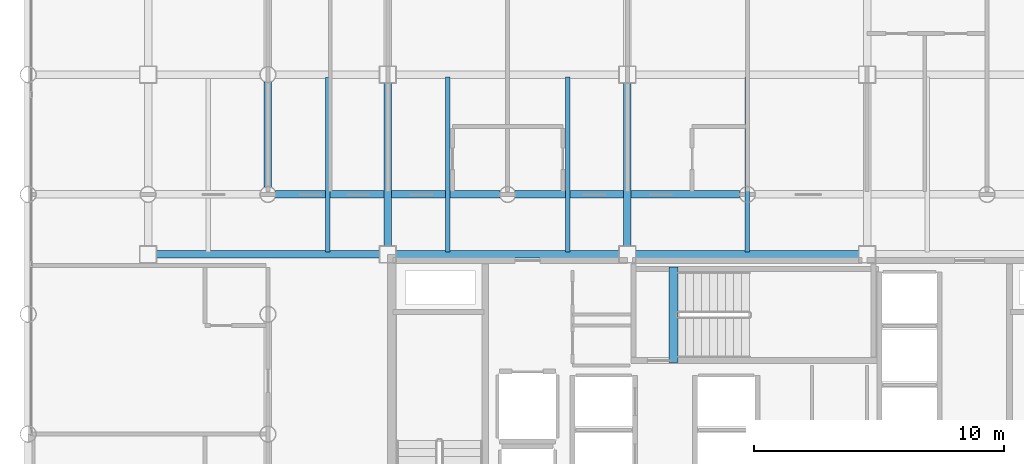
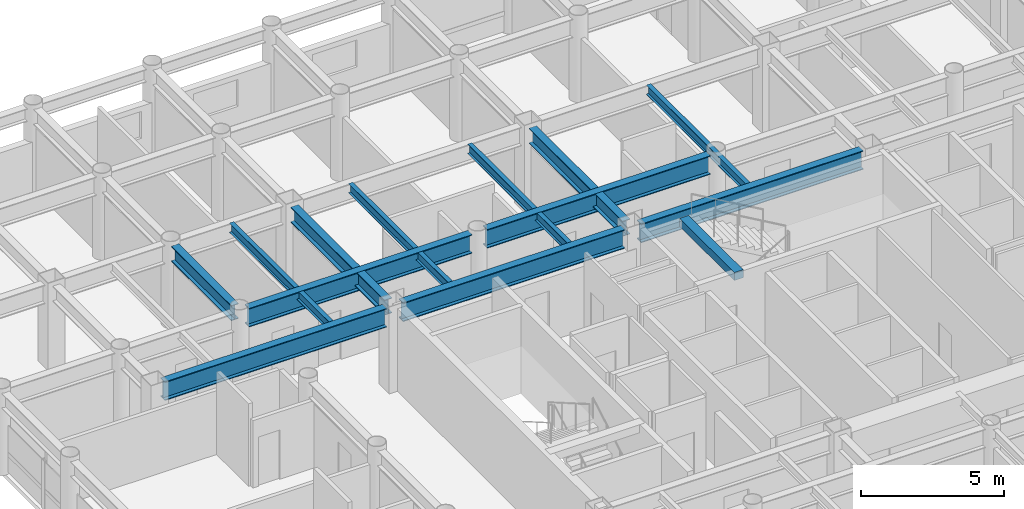
# One storey, part 5 of 22: 13 beams.
"""IFC4 building model written with IfcOpenShell, lengths in metres."""

from ifc_helpers import new_model, si_unit, direction, frame, origin, origin_2d, place, context, subcontext, project, spatial, rectangle, i_section, extrude, material, material_profile, profile_set, type_object, element, save


model = new_model("IFC4")

# Units and contexts
model_context = context("Model", 3, precision=1e-05, world=origin(), true_north=direction((0.0, 1.0)))
body_context = subcontext(model_context, "Body", "Model", "MODEL_VIEW")
ifc_project = project(units=[si_unit("LENGTHUNIT", "METRE"), si_unit("AREAUNIT", "SQUARE_METRE"), si_unit("VOLUMEUNIT", "CUBIC_METRE"), si_unit("PLANEANGLEUNIT", "RADIAN"), si_unit("MASSUNIT", "GRAM", prefix="KILO")], contexts=[model_context])

# Site, building, storey
site_placement = place(None, origin())
site = spatial("IfcSite", under=ifc_project, at=site_placement, CompositionType="ELEMENT")
building_placement = place(site_placement, origin())
building = spatial("IfcBuilding", under=site, at=building_placement, Name="Kallvorn Hotel Tower", CompositionType="ELEMENT")
storey_placement = place(building_placement, frame((0.0, 0.0, 110.0)))
storey = spatial("IfcBuildingStorey", under=building, at=storey_placement, Name="L26", CompositionType="ELEMENT", Elevation=110.0)

# Beams
ifc_material_1 = material(Name="Structural steel S355JR", Category="steel")
ifc_material_profile_1 = material_profile(ifc_material_1, i_section(OverallWidth=0.300048828125, OverallDepth=0.64990234375, WebThickness=0.01611328125, FlangeThickness=0.031005859375, at=origin_2d()), Name="HE 650 B")
ifc_profile_set_1 = profile_set([ifc_material_profile_1], Name="Structural steel S355JR")
beam_type_1 = type_object("IfcBeamType", Name="BM_HE650B", PredefinedType="BEAM", material=ifc_profile_set_1)
beam_1_placement = place(storey_placement, frame((-19.199951171875, 9.905029296875, 3.195068359375), z_axis=(0.0, 1.0, 0.0), x_axis=(-1.0, 0.0, 0.0)))
element("IfcBeam", 1, at=beam_1_placement, inside=storey, type_object=beam_type_1, Name="L27 Primary Y-Girder 94", PredefinedType="BEAM", context=body_context, shape_type="SweptSolid", body=[
    extrude(i_section(OverallWidth=0.300048828125, OverallDepth=0.64990234375, WebThickness=0.01611328125, FlangeThickness=0.031005859375, at=origin_2d()), origin(), (0.0, 0.0, 1.0), 4.18994140625),
])
for number, where, z_axis, x_axis, name in (
    (2, (-14.39990234375, 7.52490234375, 3.195068359375), (0.0, 1.0, 0.0), (-1.0, 0.0, 0.0), "L27 Primary Y-Girder 99"),
    (3, (-4.800048828125, 7.52490234375, 3.195068359375), (0.0, 1.0, 0.0), (-1.0, 0.0, 0.0), "L27 Primary Y-Girder 107"),
):
    element("IfcBeam", number, at=place(storey_placement, frame(where, z_axis=z_axis, x_axis=x_axis)), inside=storey, type_object=beam_type_1, Name=name, PredefinedType="BEAM", context=body_context, shape_type="SweptSolid", body=[
        extrude(i_section(OverallWidth=0.300048828125, OverallDepth=0.64990234375, WebThickness=0.01611328125, FlangeThickness=0.031005859375, at=origin_2d()), origin(), (0.0, 0.0, 1.0), 6.550048828125),
    ])
ifc_material_2 = material(Name="Structural steel S355JR", Category="steel")
ifc_material_profile_2 = material_profile(ifc_material_2, i_section(OverallWidth=0.300048828125, OverallDepth=0.800048828125, WebThickness=0.017578125, FlangeThickness=0.032958984375, at=origin_2d()), Name="HE 800 B")
ifc_profile_set_2 = profile_set([ifc_material_profile_2], Name="Structural steel S355JR")
beam_type_2 = type_object("IfcBeamType", Name="BM_HE800B", PredefinedType="BEAM", material=ifc_profile_set_2)
for number, where, z_axis, x_axis, name in (
    (4, (-23.675048828125, 7.199951171875, 3.1201171875), (1.0, 0.0, 0.0), (0.0, 1.0, 0.0), "L27 Primary X-Girder 36"),
    (5, (-14.074951171875, 7.199951171875, 3.1201171875), (1.0, 0.0, 0.0), (0.0, 1.0, 0.0), "L27 Primary X-Girder 37"),
):
    element("IfcBeam", number, at=place(storey_placement, frame(where, z_axis=z_axis, x_axis=x_axis)), inside=storey, type_object=beam_type_2, Name=name, PredefinedType="BEAM", context=body_context, shape_type="SweptSolid", body=[
        extrude(i_section(OverallWidth=0.300048828125, OverallDepth=0.800048828125, WebThickness=0.017578125, FlangeThickness=0.032958984375, at=origin_2d()), origin(), (0.0, 0.0, 1.0), 8.949951171875),
    ])
beam_2_placement = place(storey_placement, frame((-4.47509765625, 7.199951171875, 3.1201171875), z_axis=(1.0, 0.0, 0.0), x_axis=(0.0, 1.0, 0.0)))
element("IfcBeam", 6, at=beam_2_placement, inside=storey, type_object=beam_type_2, Name="L27 Primary X-Girder 38", PredefinedType="BEAM", context=body_context, shape_type="SweptSolid", body=[
    extrude(i_section(OverallWidth=0.300048828125, OverallDepth=0.800048828125, WebThickness=0.017578125, FlangeThickness=0.032958984375, at=origin_2d()), origin(), (0.0, 0.0, 1.0), 8.9501953125),
])
for number, where, z_axis, x_axis, name in (
    (7, (-18.89501953125, 9.60009765625, 3.1201171875), (1.0, 0.0, 0.0), (0.0, 1.0, 0.0), "L27 Primary X-Girder 43"),
    (8, (-9.294921875, 9.60009765625, 3.1201171875), (1.0, 0.0, 0.0), (0.0, 1.0, 0.0), "L27 Primary X-Girder 44"),
):
    element("IfcBeam", number, at=place(storey_placement, frame(where, z_axis=z_axis, x_axis=x_axis)), inside=storey, type_object=beam_type_2, Name=name, PredefinedType="BEAM", context=body_context, shape_type="SweptSolid", body=[
        extrude(i_section(OverallWidth=0.300048828125, OverallDepth=0.800048828125, WebThickness=0.017578125, FlangeThickness=0.032958984375, at=origin_2d()), origin(), (0.0, 0.0, 1.0), 8.989990234375),
    ])
ifc_material_3 = material(Name="Structural steel S355JR", Category="steel")
ifc_material_profile_3 = material_profile(ifc_material_3, i_section(OverallWidth=0.179931640625, OverallDepth=0.39990234375, WebThickness=0.008544921875, FlangeThickness=0.013427734375, at=origin_2d()), Name="IPE 400")
ifc_profile_set_3 = profile_set([ifc_material_profile_3], Name="Structural steel S355JR")
beam_type_3 = type_object("IfcBeamType", Name="BM_IPE400", PredefinedType="JOIST", material=ifc_profile_set_3)
for number, where, z_axis, x_axis, name in (
    (9, (-16.800048828125, 7.300048828125, 3.320068359375), (0.0, 1.0, 0.0), (-1.0, 0.0, 0.0), "L27 Secondary Composite Joist 195"),
    (10, (-12.0, 7.300048828125, 3.320068359375), (0.0, 1.0, 0.0), (-1.0, 0.0, 0.0), "L27 Secondary Composite Joist 197"),
    (11, (-7.199951171875, 7.300048828125, 3.320068359375), (0.0, 1.0, 0.0), (-1.0, 0.0, 0.0), "L27 Secondary Composite Joist 199"),
    (12, (0.0, 7.300048828125, 3.320068359375), (0.0, 1.0, 0.0), (-1.0, 0.0, 0.0), "L27 Secondary Composite Joist 201"),
):
    element("IfcBeam", number, at=place(storey_placement, frame(where, z_axis=z_axis, x_axis=x_axis)), inside=storey, type_object=beam_type_3, Name=name, PredefinedType="JOIST", context=body_context, shape_type="SweptSolid", body=[
        extrude(i_section(OverallWidth=0.179931640625, OverallDepth=0.39990234375, WebThickness=0.008544921875, FlangeThickness=0.013427734375, at=origin_2d()), origin(), (0.0, 0.0, 1.0), 7.0),
    ])
ifc_material_4 = material(Name="Concrete C50/60", Category="concrete")
ifc_material_profile_4 = material_profile(ifc_material_4, rectangle(XDim=0.360107421875, YDim=0.340087890625, at=origin_2d()), Name="RC 360x340")
ifc_profile_set_4 = profile_set([ifc_material_profile_4], Name="Concrete C50/60")
beam_type_4 = type_object("IfcBeamType", Name="BM_RC_400x360", PredefinedType="BEAM", material=ifc_profile_set_4)
beam_3_placement = place(storey_placement, frame((-2.9599609375, 2.8701171875, 3.35009765625), z_axis=(0.0, 1.0, 0.0), x_axis=(-1.0, 0.0, 0.0)))
element("IfcBeam", 13, at=beam_3_placement, inside=storey, type_object=beam_type_4, Name="L27 Stair ST3 Arrival Trimmer Beam", PredefinedType="BEAM", context=body_context, shape_type="SweptSolid", body=[
    extrude(rectangle(XDim=0.360107421875, YDim=0.340087890625, at=origin_2d()), origin(), (0.0, 0.0, 1.0), 3.81982421875),
])

save(model, "model.ifc")
